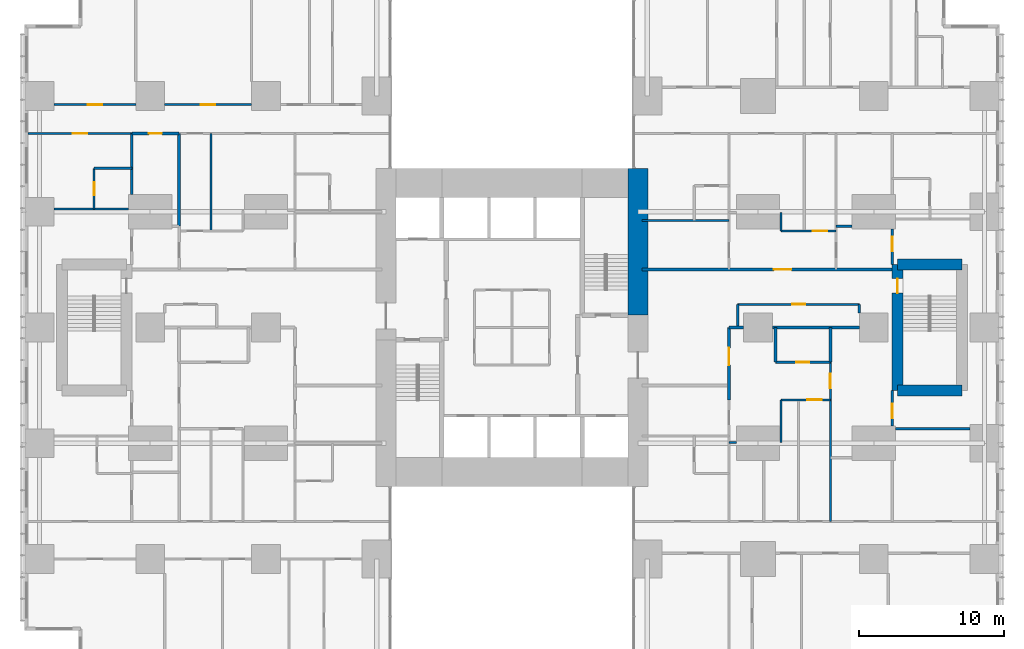
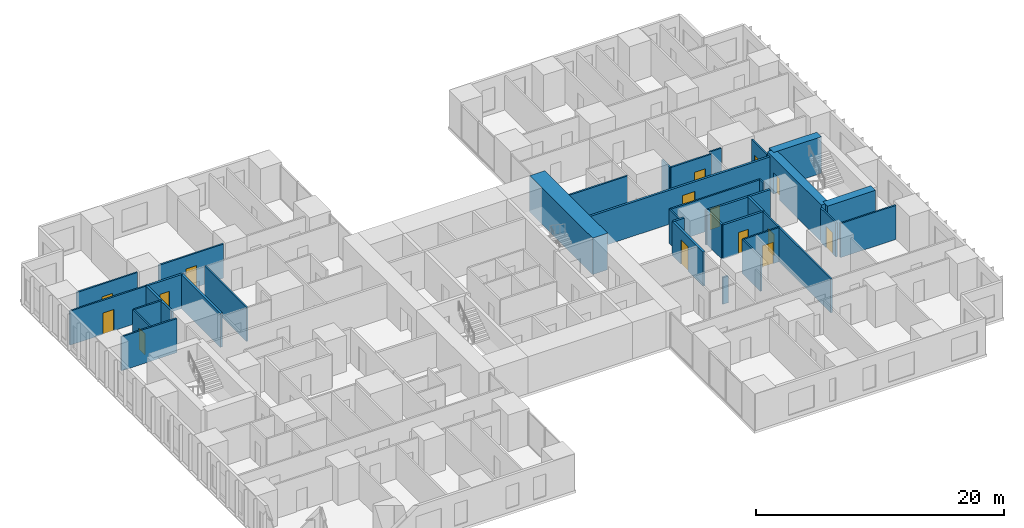
# One storey, part 16 of 20: 35 walls, 15 doors, 15 openings.
"""IFC4 building model written with IfcOpenShell, lengths in metres."""

from ifc_helpers import new_model, si_unit, direction, frame, frame_2d, origin, place, context, subcontext, project, spatial, rectangle, extrude, material, layer, layer_set, type_object, element, fill, save


model = new_model("IFC4")

# Units and contexts
model_context = context("Model", 3, precision=1e-05, world=origin(), true_north=direction((0.0, 1.0)))
body_context = subcontext(model_context, "Body", "Model", "MODEL_VIEW")
ifc_project = project(units=[si_unit("LENGTHUNIT", "METRE"), si_unit("AREAUNIT", "SQUARE_METRE"), si_unit("VOLUMEUNIT", "CUBIC_METRE"), si_unit("PLANEANGLEUNIT", "RADIAN"), si_unit("MASSUNIT", "GRAM", prefix="KILO")], contexts=[model_context])

# Site, building, storey
site_placement = place(None, origin())
site = spatial("IfcSite", under=ifc_project, at=site_placement, CompositionType="ELEMENT")
building_placement = place(site_placement, origin())
building = spatial("IfcBuilding", under=site, at=building_placement, Name="Cleftline Residences", CompositionType="ELEMENT")
storey_placement = place(building_placement, frame((0.0, 0.0, 139.39990234375)))
storey = spatial("IfcBuildingStorey", under=building, at=storey_placement, Name="L36", CompositionType="ELEMENT", Elevation=139.39990234375)

# Wall
ifc_material_1 = material(Name="Concrete B70", Category="concrete")
ifc_layer_1 = layer(ifc_material_1, 1.39990234375)
ifc_layer_set_1 = layer_set([ifc_layer_1], Name="CORE WALL 1400")
wall_type_1 = type_object("IfcWallType", Name="CORE WALL 1400", PredefinedType="SHEAR", material=ifc_layer_set_1)
wall_1_placement = place(storey_placement, frame((41.699951171875, 24.85009765625, 0.0), z_axis=(0.0, 0.0, 1.0), x_axis=(0.0, 1.0, 0.0)))
element("IfcWall", 1, at=wall_1_placement, inside=storey, type_object=wall_type_1, Name="Core wall E1", PredefinedType="SHEAR", context=body_context, shape_type="SweptSolid", body=[
    extrude(rectangle(XDim=10.14990234375, YDim=1.39990234375, at=frame_2d((5.074951171875, 0.0))), origin(), (0.0, 0.0, 1.0), 3.60009765625),
])

# Wall, opening, door
ifc_material_2 = material(Name="Concrete blockwork, fire rated", Category="masonry")
ifc_layer_2 = layer(ifc_material_2, 0.199951171875)
ifc_layer_set_2 = layer_set([ifc_layer_2], Name="FIRE WALL 200")
wall_type_2 = type_object("IfcWallType", Name="FIRE WALL 200", PredefinedType="PARTITIONING", material=ifc_layer_set_2)
wall_2_placement = place(storey_placement, frame((51.199951171875, 21.60009765625, 0.0), z_axis=(0.0, 0.0, 1.0), x_axis=(1.0, 0.0, 0.0)))
wall_2 = element("IfcWall", 2, at=wall_2_placement, inside=storey, type_object=wall_type_2, Name="Fire separating wall", PredefinedType="PARTITIONING", context=body_context, shape_type="SweptSolid", body=[
    extrude(rectangle(XDim=3.800048828125, YDim=0.199951171875, at=frame_2d((1.89990234375, 0.0))), origin(), (0.0, 0.0, 1.0), 3.35009765625),
])
opening_1_placement = place(wall_2_placement, frame((1.449951171875, 0.0, 0.0)))
opening_1 = element("IfcOpeningElement", 3, at=opening_1_placement, cuts=wall_2, Name="Opening D1F30", PredefinedType="OPENING", context=body_context, shape_type="SweptSolid", body=[
    extrude(rectangle(XDim=0.89990234375, YDim=2.10009765625, at=frame_2d((0.449951171875, 1.050048828125))), frame((0.0, 0.10986328125, 0.0), z_axis=(0.0, -1.0, 0.0), x_axis=(1.0, 0.0, 0.0)), (0.0, 0.0, 1.0), 0.219970703125),
])
ifc_material_3 = material(Name="Timber veneer on solid core", Category="wood")
door_type_1 = type_object("IfcDoorType", Name="DOOR 900X2100 EI 30", OperationType="SINGLE_SWING_LEFT", PredefinedType="DOOR", material=ifc_material_3)
door_1_placement = place(opening_1_placement, origin())
door_1 = element("IfcDoor", 4, at=door_1_placement, inside=storey, type_object=door_type_1, Name="Door to cloakroom wc", OperationType="SINGLE_SWING_LEFT", OverallHeight=2.10009765625, OverallWidth=0.89990234375, PredefinedType="DOOR", context=body_context, shape_type="SweptSolid", body=[
    extrude(rectangle(XDim=0.89990234375, YDim=2.10009765625, at=frame_2d((0.449951171875, 1.050048828125))), frame((0.0, 0.02490234375, 0.0), z_axis=(0.0, -1.0, 0.0), x_axis=(1.0, 0.0, 0.0)), (0.0, 0.0, 1.0), 0.050048828125),
])
fill(opening_1, door_1)

# Walls
wall_3_placement = place(storey_placement, frame((48.0, 24.0, 0.0), z_axis=(0.0, 0.0, 1.0), x_axis=(1.0, 0.0, 0.0)))
element("IfcWall", 5, at=wall_3_placement, inside=storey, type_object=wall_type_2, Name="Fire separating wall", PredefinedType="PARTITIONING", context=body_context, shape_type="SweptSolid", body=[
    extrude(rectangle(XDim=1.0, YDim=0.199951171875, at=frame_2d((0.5, 0.0))), origin(), (0.0, 0.0, 1.0), 3.35009765625),
])
wall_4_placement = place(storey_placement, frame((51.0, 24.0, 0.0), z_axis=(0.0, 0.0, 1.0), x_axis=(1.0, 0.0, 0.0)))
element("IfcWall", 6, at=wall_4_placement, inside=storey, type_object=wall_type_2, Name="Fire separating wall", PredefinedType="PARTITIONING", context=body_context, shape_type="SweptSolid", body=[
    extrude(rectangle(XDim=6.0, YDim=0.199951171875, at=frame_2d((3.0, 0.0))), origin(), (0.0, 0.0, 1.0), 3.35009765625),
])

# Wall, opening, door
wall_5_placement = place(storey_placement, frame((42.0, 28.0, 0.0), z_axis=(0.0, 0.0, 1.0), x_axis=(1.0, 0.0, 0.0)))
wall_5 = element("IfcWall", 7, at=wall_5_placement, inside=storey, type_object=wall_type_2, Name="Fire separating wall", PredefinedType="PARTITIONING", context=body_context, shape_type="SweptSolid", body=[
    extrude(rectangle(XDim=17.27490234375, YDim=0.199951171875, at=frame_2d((8.637451171875, 0.0))), origin(), (0.0, 0.0, 1.0), 3.35009765625),
])
opening_2_placement = place(wall_5_placement, frame((9.10009765625, 0.0, 0.0)))
opening_2 = element("IfcOpeningElement", 8, at=opening_2_placement, cuts=wall_5, Name="Opening D4", PredefinedType="OPENING", context=body_context, shape_type="SweptSolid", body=[
    extrude(rectangle(XDim=1.199951171875, YDim=2.39990234375, at=frame_2d((0.60009765625, 1.199951171875))), frame((0.0, 0.10986328125, 0.0), z_axis=(0.0, -1.0, 0.0), x_axis=(1.0, 0.0, 0.0)), (0.0, 0.0, 1.0), 0.219970703125),
])
ifc_material_4 = material(Name="Timber veneer on solid core", Category="wood")
door_type_2 = type_object("IfcDoorType", Name="APARTMENT ENTRANCE DOOR 1200X2400", OperationType="SINGLE_SWING_RIGHT", PredefinedType="DOOR", material=ifc_material_4)
door_2_placement = place(opening_2_placement, origin())
door_2 = element("IfcDoor", 9, at=door_2_placement, inside=storey, type_object=door_type_2, Name="Door to residence entrance (gallery)", OperationType="SINGLE_SWING_LEFT", OverallHeight=2.39990234375, OverallWidth=1.199951171875, PredefinedType="DOOR", context=body_context, shape_type="SweptSolid", body=[
    extrude(rectangle(XDim=1.199951171875, YDim=2.39990234375, at=frame_2d((0.60009765625, 1.199951171875))), frame((0.0, 0.02490234375, 0.0), z_axis=(0.0, -1.0, 0.0), x_axis=(1.0, 0.0, 0.0)), (0.0, 0.0, 1.0), 0.050048828125),
])
fill(opening_2, door_2)

wall_6_placement = place(storey_placement, frame((6.72509765625, 37.39990234375, 0.0), z_axis=(0.0, 0.0, 1.0), x_axis=(1.0, 0.0, 0.0)))
wall_6 = element("IfcWall", 10, at=wall_6_placement, inside=storey, type_object=wall_type_2, Name="Fire separating wall", PredefinedType="PARTITIONING", context=body_context, shape_type="SweptSolid", body=[
    extrude(rectangle(XDim=3.27490234375, YDim=0.199951171875, at=frame_2d((1.637451171875, 0.0))), origin(), (0.0, 0.0, 1.0), 3.35009765625),
])
opening_3_placement = place(wall_6_placement, frame((1.1875, 0.0, 0.0)))
opening_3 = element("IfcOpeningElement", 11, at=opening_3_placement, cuts=wall_6, Name="Opening D1F30", PredefinedType="OPENING", context=body_context, shape_type="SweptSolid", body=[
    extrude(rectangle(XDim=0.89990234375, YDim=2.10009765625, at=frame_2d((0.449951171875, 1.050048828125))), frame((0.0, 0.10986328125, 0.0), z_axis=(0.0, -1.0, 0.0), x_axis=(1.0, 0.0, 0.0)), (0.0, 0.0, 1.0), 0.219970703125),
])
door_3_placement = place(opening_3_placement, origin())
door_3 = element("IfcDoor", 12, at=door_3_placement, inside=storey, type_object=door_type_1, Name="Door to guest wc", OperationType="SINGLE_SWING_LEFT", OverallHeight=2.10009765625, OverallWidth=0.89990234375, PredefinedType="DOOR", context=body_context, shape_type="SweptSolid", body=[
    extrude(rectangle(XDim=0.89990234375, YDim=2.10009765625, at=frame_2d((0.449951171875, 1.050048828125))), frame((0.0, 0.02490234375, 0.0), z_axis=(0.0, -1.0, 0.0), x_axis=(1.0, 0.0, 0.0)), (0.0, 0.0, 1.0), 0.050048828125),
])
fill(opening_3, door_3)

# Walls
wall_7_placement = place(storey_placement, frame((6.72509765625, 33.199951171875, 0.0), z_axis=(0.0, 0.0, 1.0), x_axis=(0.0, 1.0, 0.0)))
element("IfcWall", 13, at=wall_7_placement, inside=storey, type_object=wall_type_2, Name="Fire separating wall", PredefinedType="PARTITIONING", context=body_context, shape_type="SweptSolid", body=[
    extrude(rectangle(XDim=4.199951171875, YDim=0.199951171875, at=frame_2d((2.10009765625, 0.0))), origin(), (0.0, 0.0, 1.0), 3.35009765625),
])
wall_8_placement = place(storey_placement, frame((10.0, 31.0, 0.0), z_axis=(0.0, 0.0, 1.0), x_axis=(0.0, 1.0, 0.0)))
element("IfcWall", 14, at=wall_8_placement, inside=storey, type_object=wall_type_2, Name="Fire separating wall", PredefinedType="PARTITIONING", context=body_context, shape_type="SweptSolid", body=[
    extrude(rectangle(XDim=6.39990234375, YDim=0.199951171875, at=frame_2d((3.199951171875, 0.0))), origin(), (0.0, 0.0, 1.0), 3.35009765625),
])

# Wall, opening, door
wall_9_placement = place(storey_placement, frame((48.0, 19.0, 0.0), z_axis=(0.0, 0.0, 1.0), x_axis=(0.0, 1.0, 0.0)))
wall_9 = element("IfcWall", 15, at=wall_9_placement, inside=storey, type_object=wall_type_2, Name="Fire separating wall", PredefinedType="PARTITIONING", context=body_context, shape_type="SweptSolid", body=[
    extrude(rectangle(XDim=5.0, YDim=0.199951171875, at=frame_2d((2.5, 0.0))), origin(), (0.0, 0.0, 1.0), 3.35009765625),
])
opening_4_placement = place(wall_9_placement, frame((2.39990234375, 0.0, 0.0)))
opening_4 = element("IfcOpeningElement", 16, at=opening_4_placement, cuts=wall_9, Name="Opening D4", PredefinedType="OPENING", context=body_context, shape_type="SweptSolid", body=[
    extrude(rectangle(XDim=1.199951171875, YDim=2.39990234375, at=frame_2d((0.60009765625, 1.199951171875))), frame((0.0, 0.10986328125, 0.0), z_axis=(0.0, -1.0, 0.0), x_axis=(1.0, 0.0, 0.0)), (0.0, 0.0, 1.0), 0.219970703125),
])
door_4_placement = place(opening_4_placement, origin())
door_4 = element("IfcDoor", 17, at=door_4_placement, inside=storey, type_object=door_type_2, Name="Door to residence entrance foyer", OperationType="SINGLE_SWING_LEFT", OverallHeight=2.39990234375, OverallWidth=1.199951171875, PredefinedType="DOOR", context=body_context, shape_type="SweptSolid", body=[
    extrude(rectangle(XDim=1.199951171875, YDim=2.39990234375, at=frame_2d((0.60009765625, 1.199951171875))), frame((0.0, 0.02490234375, 0.0), z_axis=(0.0, -1.0, 0.0), x_axis=(1.0, 0.0, 0.0)), (0.0, 0.0, 1.0), 0.050048828125),
])
fill(opening_4, door_4)

# Walls
for number, where, z_axis, x_axis, name in (
    (18, (51.199951171875, 21.60009765625, 0.0), (0.0, 0.0, 1.0), (0.0, 1.0, 0.0), "Fire separating wall"),
    (19, (55.0, 21.60009765625, 0.0), (0.0, 0.0, 1.0), (0.0, 1.0, 0.0), "Fire separating wall"),
):
    element("IfcWall", number, at=place(storey_placement, frame(where, z_axis=z_axis, x_axis=x_axis)), inside=storey, type_object=wall_type_2, Name=name, PredefinedType="PARTITIONING", context=body_context, shape_type="SweptSolid", body=[
        extrude(rectangle(XDim=2.39990234375, YDim=0.199951171875, at=frame_2d((1.199951171875, 0.0))), origin(), (0.0, 0.0, 1.0), 3.35009765625),
    ])
ifc_material_5 = material(Name="Gypsum board on steel studs", Category="steel")
ifc_layer_3 = layer(ifc_material_5, 0.14990234375)
ifc_layer_set_3 = layer_set([ifc_layer_3], Name="PARTITION 150")
wall_type_3 = type_object("IfcWallType", Name="PARTITION 150", PredefinedType="PARTITIONING", material=ifc_layer_set_3)
wall_10_placement = place(storey_placement, frame((48.0, 16.050048828125, 0.0), z_axis=(0.0, 0.0, 1.0), x_axis=(1.0, 0.0, 0.0)))
element("IfcWall", 20, at=wall_10_placement, inside=storey, type_object=wall_type_3, Name="Partition", PredefinedType="PARTITIONING", context=body_context, shape_type="SweptSolid", body=[
    extrude(rectangle(XDim=0.5, YDim=0.14990234375, at=frame_2d((0.25, 0.0))), origin(), (0.0, 0.0, 1.0), 2.634033203125),
])
wall_11_placement = place(storey_placement, frame((59.5, 17.0, 0.0), z_axis=(0.0, 0.0, 1.0), x_axis=(1.0, 0.0, 0.0)))
element("IfcWall", 21, at=wall_11_placement, inside=storey, type_object=wall_type_3, Name="Partition", PredefinedType="PARTITIONING", context=body_context, shape_type="SweptSolid", body=[
    extrude(rectangle(XDim=5.14990234375, YDim=0.14990234375, at=frame_2d((2.574951171875, 0.0))), origin(), (0.0, 0.0, 1.0), 3.35009765625),
])

# Wall, opening, door
wall_12_placement = place(storey_placement, frame((51.60009765625, 19.0, 0.0), z_axis=(0.0, 0.0, 1.0), x_axis=(1.0, 0.0, 0.0)))
wall_12 = element("IfcWall", 22, at=wall_12_placement, inside=storey, type_object=wall_type_3, Name="Partition", PredefinedType="PARTITIONING", context=body_context, shape_type="SweptSolid", body=[
    extrude(rectangle(XDim=3.39990234375, YDim=0.14990234375, at=frame_2d((1.699951171875, 0.0))), origin(), (0.0, 0.0, 1.0), 3.35009765625),
])
opening_5_placement = place(wall_12_placement, frame((1.800048828125, 0.0, 0.0)))
opening_5 = element("IfcOpeningElement", 23, at=opening_5_placement, cuts=wall_12, Name="Opening D2", PredefinedType="OPENING", context=body_context, shape_type="SweptSolid", body=[
    extrude(rectangle(XDim=1.0, YDim=2.10009765625, at=frame_2d((0.5, 1.050048828125))), frame((0.0, 0.0849609375, 0.0), z_axis=(0.0, -1.0, 0.0), x_axis=(1.0, 0.0, 0.0)), (0.0, 0.0, 1.0), 0.169921875),
])
ifc_material_6 = material(Name="Timber veneer on solid core", Category="wood")
door_type_3 = type_object("IfcDoorType", Name="DOOR 1000X2100", OperationType="SINGLE_SWING_LEFT", PredefinedType="DOOR", material=ifc_material_6)
door_5_placement = place(opening_5_placement, origin())
door_5 = element("IfcDoor", 24, at=door_5_placement, inside=storey, type_object=door_type_3, Name="Door to residence passage", OperationType="SINGLE_SWING_LEFT", OverallHeight=2.10009765625, OverallWidth=1.0, PredefinedType="DOOR", context=body_context, shape_type="SweptSolid", body=[
    extrude(rectangle(XDim=1.0, YDim=2.10009765625, at=frame_2d((0.5, 1.050048828125))), frame((0.0, 0.02490234375, 0.0), z_axis=(0.0, -1.0, 0.0), x_axis=(1.0, 0.0, 0.0)), (0.0, 0.0, 1.0), 0.050048828125),
])
fill(opening_5, door_5)

wall_13_placement = place(storey_placement, frame((48.60009765625, 25.60009765625, 0.0), z_axis=(0.0, 0.0, 1.0), x_axis=(1.0, 0.0, 0.0)))
wall_13 = element("IfcWall", 25, at=wall_13_placement, inside=storey, type_object=wall_type_3, Name="Partition", PredefinedType="PARTITIONING", context=body_context, shape_type="SweptSolid", body=[
    extrude(rectangle(XDim=8.39990234375, YDim=0.14990234375, at=frame_2d((4.199951171875, 0.0))), origin(), (0.0, 0.0, 1.0), 3.35009765625),
])
opening_6_placement = place(wall_13_placement, frame((3.75, 0.0, 0.0)))
opening_6 = element("IfcOpeningElement", 26, at=opening_6_placement, cuts=wall_13, Name="Opening D1", PredefinedType="OPENING", context=body_context, shape_type="SweptSolid", body=[
    extrude(rectangle(XDim=0.89990234375, YDim=2.10009765625, at=frame_2d((0.449951171875, 1.050048828125))), frame((0.0, 0.0849609375, 0.0), z_axis=(0.0, -1.0, 0.0), x_axis=(1.0, 0.0, 0.0)), (0.0, 0.0, 1.0), 0.169921875),
])
ifc_material_7 = material(Name="Timber veneer on solid core", Category="wood")
door_type_4 = type_object("IfcDoorType", Name="DOOR 900X2100", OperationType="SINGLE_SWING_LEFT", PredefinedType="DOOR", material=ifc_material_7)
door_6_placement = place(opening_6_placement, origin())
door_6 = element("IfcDoor", 27, at=door_6_placement, inside=storey, type_object=door_type_4, Name="Door to residents' locker room", OperationType="SINGLE_SWING_LEFT", OverallHeight=2.10009765625, OverallWidth=0.89990234375, PredefinedType="DOOR", context=body_context, shape_type="SweptSolid", body=[
    extrude(rectangle(XDim=0.89990234375, YDim=2.10009765625, at=frame_2d((0.449951171875, 1.050048828125))), frame((0.0, 0.02490234375, 0.0), z_axis=(0.0, -1.0, 0.0), x_axis=(1.0, 0.0, 0.0)), (0.0, 0.0, 1.0), 0.050048828125),
])
fill(opening_6, door_6)

wall_14_placement = place(storey_placement, frame((51.60009765625, 30.675048828125, 0.0), z_axis=(0.0, 0.0, 1.0), x_axis=(1.0, 0.0, 0.0)))
wall_14 = element("IfcWall", 28, at=wall_14_placement, inside=storey, type_object=wall_type_3, Name="Partition", PredefinedType="PARTITIONING", context=body_context, shape_type="SweptSolid", body=[
    extrude(rectangle(XDim=3.7998046875, YDim=0.14990234375, at=frame_2d((1.89990234375, 0.0))), origin(), (0.0, 0.0, 1.0), 3.35009765625),
])
opening_7_placement = place(wall_14_placement, frame((2.199951171875, 0.0, 0.0)))
opening_7 = element("IfcOpeningElement", 29, at=opening_7_placement, cuts=wall_14, Name="Opening D2", PredefinedType="OPENING", context=body_context, shape_type="SweptSolid", body=[
    extrude(rectangle(XDim=1.0, YDim=2.10009765625, at=frame_2d((0.5, 1.050048828125))), frame((0.0, 0.0849609375, 0.0), z_axis=(0.0, -1.0, 0.0), x_axis=(1.0, 0.0, 0.0)), (0.0, 0.0, 1.0), 0.169921875),
])
door_7_placement = place(opening_7_placement, origin())
door_7 = element("IfcDoor", 30, at=door_7_placement, inside=storey, type_object=door_type_3, Name="Door to residence passage", OperationType="SINGLE_SWING_LEFT", OverallHeight=2.10009765625, OverallWidth=1.0, PredefinedType="DOOR", context=body_context, shape_type="SweptSolid", body=[
    extrude(rectangle(XDim=1.0, YDim=2.10009765625, at=frame_2d((0.5, 1.050048828125))), frame((0.0, 0.02490234375, 0.0), z_axis=(0.0, -1.0, 0.0), x_axis=(1.0, 0.0, 0.0)), (0.0, 0.0, 1.0), 0.050048828125),
])
fill(opening_7, door_7)

# Walls
wall_15_placement = place(storey_placement, frame((55.39990234375, 31.0, 0.0), z_axis=(0.0, 0.0, 1.0), x_axis=(1.0, 0.0, 0.0)))
element("IfcWall", 31, at=wall_15_placement, inside=storey, type_object=wall_type_3, Name="Partition", PredefinedType="PARTITIONING", context=body_context, shape_type="SweptSolid", body=[
    extrude(rectangle(XDim=1.10009765625, YDim=0.14990234375, at=frame_2d((0.550048828125, 0.0))), origin(), (0.0, 0.0, 1.0), 3.35009765625),
])
wall_16_placement = place(storey_placement, frame((42.0, 31.39990234375, 0.0), z_axis=(0.0, 0.0, 1.0), x_axis=(1.0, 0.0, 0.0)))
element("IfcWall", 32, at=wall_16_placement, inside=storey, type_object=wall_type_3, Name="Partition", PredefinedType="PARTITIONING", context=body_context, shape_type="SweptSolid", body=[
    extrude(rectangle(XDim=6.0, YDim=0.14990234375, at=frame_2d((3.0, 0.0))), origin(), (0.0, 0.0, 1.0), 3.35009765625),
])
wall_17_placement = place(storey_placement, frame((1.35009765625, 32.199951171875, 0.0), z_axis=(0.0, 0.0, 1.0), x_axis=(1.0, 0.0, 0.0)))
element("IfcWall", 33, at=wall_17_placement, inside=storey, type_object=wall_type_3, Name="Partition", PredefinedType="PARTITIONING", context=body_context, shape_type="SweptSolid", body=[
    extrude(rectangle(XDim=5.14990234375, YDim=0.14990234375, at=frame_2d((2.574951171875, 0.0))), origin(), (0.0, 0.0, 1.0), 3.35009765625),
])
wall_18_placement = place(storey_placement, frame((4.125, 35.0, 0.0), z_axis=(0.0, 0.0, 1.0), x_axis=(1.0, 0.0, 0.0)))
element("IfcWall", 34, at=wall_18_placement, inside=storey, type_object=wall_type_3, Name="Partition", PredefinedType="PARTITIONING", context=body_context, shape_type="SweptSolid", body=[
    extrude(rectangle(XDim=2.60009765625, YDim=0.14990234375, at=frame_2d((1.300048828125, 0.0))), origin(), (0.0, 0.0, 1.0), 3.35009765625),
])

# Wall, opening, door
wall_19_placement = place(storey_placement, frame((-0.449951171875, 37.39990234375, 0.0), z_axis=(0.0, 0.0, 1.0), x_axis=(1.0, 0.0, 0.0)))
wall_19 = element("IfcWall", 35, at=wall_19_placement, inside=storey, type_object=wall_type_3, Name="Partition", PredefinedType="PARTITIONING", context=body_context, shape_type="SweptSolid", body=[
    extrude(rectangle(XDim=7.175048828125, YDim=0.14990234375, at=frame_2d((3.58740234375, 0.0))), origin(), (0.0, 0.0, 1.0), 3.35009765625),
])
opening_8_placement = place(wall_19_placement, frame((3.08740234375, 0.0, 0.0)))
opening_8 = element("IfcOpeningElement", 36, at=opening_8_placement, cuts=wall_19, Name="Opening D2", PredefinedType="OPENING", context=body_context, shape_type="SweptSolid", body=[
    extrude(rectangle(XDim=1.0, YDim=2.10009765625, at=frame_2d((0.5, 1.050048828125))), frame((0.0, 0.0849609375, 0.0), z_axis=(0.0, -1.0, 0.0), x_axis=(1.0, 0.0, 0.0)), (0.0, 0.0, 1.0), 0.169921875),
])
door_8_placement = place(opening_8_placement, origin())
door_8 = element("IfcDoor", 37, at=door_8_placement, inside=storey, type_object=door_type_3, Name="Door to master bedroom", OperationType="SINGLE_SWING_LEFT", OverallHeight=2.10009765625, OverallWidth=1.0, PredefinedType="DOOR", context=body_context, shape_type="SweptSolid", body=[
    extrude(rectangle(XDim=1.0, YDim=2.10009765625, at=frame_2d((0.5, 1.050048828125))), frame((0.0, 0.02490234375, 0.0), z_axis=(0.0, -1.0, 0.0), x_axis=(1.0, 0.0, 0.0)), (0.0, 0.0, 1.0), 0.050048828125),
])
fill(opening_8, door_8)

wall_20_placement = place(storey_placement, frame((1.35009765625, 39.39990234375, 0.0), z_axis=(0.0, 0.0, 1.0), x_axis=(1.0, 0.0, 0.0)))
wall_20 = element("IfcWall", 38, at=wall_20_placement, inside=storey, type_object=wall_type_3, Name="Partition", PredefinedType="PARTITIONING", context=body_context, shape_type="SweptSolid", body=[
    extrude(rectangle(XDim=5.64990234375, YDim=0.14990234375, at=frame_2d((2.824951171875, 0.0))), origin(), (0.0, 0.0, 1.0), 3.35009765625),
])
opening_9_placement = place(wall_20_placement, frame((2.324951171875, 0.0, 0.0)))
opening_9 = element("IfcOpeningElement", 39, at=opening_9_placement, cuts=wall_20, Name="Opening D2", PredefinedType="OPENING", context=body_context, shape_type="SweptSolid", body=[
    extrude(rectangle(XDim=1.0, YDim=2.10009765625, at=frame_2d((0.5, 1.050048828125))), frame((0.0, 0.0849609375, 0.0), z_axis=(0.0, -1.0, 0.0), x_axis=(1.0, 0.0, 0.0)), (0.0, 0.0, 1.0), 0.169921875),
])
door_9_placement = place(opening_9_placement, origin())
door_9 = element("IfcDoor", 40, at=door_9_placement, inside=storey, type_object=door_type_3, Name="Door to winter garden", OperationType="SINGLE_SWING_LEFT", OverallHeight=2.10009765625, OverallWidth=1.0, PredefinedType="DOOR", context=body_context, shape_type="SweptSolid", body=[
    extrude(rectangle(XDim=1.0, YDim=2.10009765625, at=frame_2d((0.5, 1.050048828125))), frame((0.0, 0.02490234375, 0.0), z_axis=(0.0, -1.0, 0.0), x_axis=(1.0, 0.0, 0.0)), (0.0, 0.0, 1.0), 0.050048828125),
])
fill(opening_9, door_9)

wall_21_placement = place(storey_placement, frame((9.0, 39.39990234375, 0.0), z_axis=(0.0, 0.0, 1.0), x_axis=(1.0, 0.0, 0.0)))
wall_21 = element("IfcWall", 41, at=wall_21_placement, inside=storey, type_object=wall_type_3, Name="Partition", PredefinedType="PARTITIONING", context=body_context, shape_type="SweptSolid", body=[
    extrude(rectangle(XDim=6.0, YDim=0.14990234375, at=frame_2d((3.0, 0.0))), origin(), (0.0, 0.0, 1.0), 3.35009765625),
])
opening_10_placement = place(wall_21_placement, frame((2.5, 0.0, 0.0)))
opening_10 = element("IfcOpeningElement", 42, at=opening_10_placement, cuts=wall_21, Name="Opening D2", PredefinedType="OPENING", context=body_context, shape_type="SweptSolid", body=[
    extrude(rectangle(XDim=1.0, YDim=2.10009765625, at=frame_2d((0.5, 1.050048828125))), frame((0.0, 0.0849609375, 0.0), z_axis=(0.0, -1.0, 0.0), x_axis=(1.0, 0.0, 0.0)), (0.0, 0.0, 1.0), 0.169921875),
])
door_10_placement = place(opening_10_placement, origin())
door_10 = element("IfcDoor", 43, at=door_10_placement, inside=storey, type_object=door_type_3, Name="Door to living room", OperationType="SINGLE_SWING_LEFT", OverallHeight=2.10009765625, OverallWidth=1.0, PredefinedType="DOOR", context=body_context, shape_type="SweptSolid", body=[
    extrude(rectangle(XDim=1.0, YDim=2.10009765625, at=frame_2d((0.5, 1.050048828125))), frame((0.0, 0.02490234375, 0.0), z_axis=(0.0, -1.0, 0.0), x_axis=(1.0, 0.0, 0.0)), (0.0, 0.0, 1.0), 0.050048828125),
])
fill(opening_10, door_10)

wall_22_placement = place(storey_placement, frame((4.125, 32.199951171875, 0.0), z_axis=(0.0, 0.0, 1.0), x_axis=(0.0, 1.0, 0.0)))
wall_22 = element("IfcWall", 44, at=wall_22_placement, inside=storey, type_object=wall_type_3, Name="Partition", PredefinedType="PARTITIONING", context=body_context, shape_type="SweptSolid", body=[
    extrude(rectangle(XDim=2.800048828125, YDim=0.14990234375, at=frame_2d((1.39990234375, 0.0))), origin(), (0.0, 0.0, 1.0), 3.35009765625),
])
opening_11_placement = place(wall_22_placement, frame((0.949951171875, 0.0, 0.0)))
opening_11 = element("IfcOpeningElement", 45, at=opening_11_placement, cuts=wall_22, Name="Opening D1", PredefinedType="OPENING", context=body_context, shape_type="SweptSolid", body=[
    extrude(rectangle(XDim=0.89990234375, YDim=2.10009765625, at=frame_2d((0.449951171875, 1.050048828125))), frame((0.0, 0.0849609375, 0.0), z_axis=(0.0, -1.0, 0.0), x_axis=(1.0, 0.0, 0.0)), (0.0, 0.0, 1.0), 0.169921875),
])
door_11_placement = place(opening_11_placement, origin())
door_11 = element("IfcDoor", 46, at=door_11_placement, inside=storey, type_object=door_type_4, Name="Door to master bathroom", OperationType="SINGLE_SWING_LEFT", OverallHeight=2.10009765625, OverallWidth=0.89990234375, PredefinedType="DOOR", context=body_context, shape_type="SweptSolid", body=[
    extrude(rectangle(XDim=0.89990234375, YDim=2.10009765625, at=frame_2d((0.449951171875, 1.050048828125))), frame((0.0, 0.02490234375, 0.0), z_axis=(0.0, -1.0, 0.0), x_axis=(1.0, 0.0, 0.0)), (0.0, 0.0, 1.0), 0.050048828125),
])
fill(opening_11, door_11)

# Walls
wall_23_placement = place(storey_placement, frame((12.199951171875, 30.675048828125, 0.0), z_axis=(0.0, 0.0, 1.0), x_axis=(0.0, 1.0, 0.0)))
element("IfcWall", 47, at=wall_23_placement, inside=storey, type_object=wall_type_3, Name="Partition", PredefinedType="PARTITIONING", context=body_context, shape_type="SweptSolid", body=[
    extrude(rectangle(XDim=6.724853515625, YDim=0.14990234375, at=frame_2d((3.3623046875, 0.0))), origin(), (0.0, 0.0, 1.0), 3.35009765625),
])
wall_24_placement = place(storey_placement, frame((48.60009765625, 24.0, 0.0), z_axis=(0.0, 0.0, 1.0), x_axis=(0.0, 1.0, 0.0)))
element("IfcWall", 48, at=wall_24_placement, inside=storey, type_object=wall_type_3, Name="Partition", PredefinedType="PARTITIONING", context=body_context, shape_type="SweptSolid", body=[
    extrude(rectangle(XDim=1.60009765625, YDim=0.14990234375, at=frame_2d((0.800048828125, 0.0))), origin(), (0.0, 0.0, 1.0), 3.35009765625),
])
wall_25_placement = place(storey_placement, frame((51.60009765625, 16.050048828125, 0.0), z_axis=(0.0, 0.0, 1.0), x_axis=(0.0, 1.0, 0.0)))
element("IfcWall", 49, at=wall_25_placement, inside=storey, type_object=wall_type_3, Name="Partition", PredefinedType="PARTITIONING", context=body_context, shape_type="SweptSolid", body=[
    extrude(rectangle(XDim=2.949951171875, YDim=0.14990234375, at=frame_2d((1.47509765625, 0.0))), origin(), (0.0, 0.0, 1.0), 3.35009765625),
])
wall_26_placement = place(storey_placement, frame((51.60009765625, 30.675048828125, 0.0), z_axis=(0.0, 0.0, 1.0), x_axis=(0.0, 1.0, 0.0)))
element("IfcWall", 50, at=wall_26_placement, inside=storey, type_object=wall_type_3, Name="Partition", PredefinedType="PARTITIONING", context=body_context, shape_type="SweptSolid", body=[
    extrude(rectangle(XDim=1.27490234375, YDim=0.14990234375, at=frame_2d((0.637451171875, 0.0))), origin(), (0.0, 0.0, 1.0), 3.35009765625),
])

# Wall, opening, door
wall_27_placement = place(storey_placement, frame((55.0, 10.60009765625, 0.0), z_axis=(0.0, 0.0, 1.0), x_axis=(0.0, 1.0, 0.0)))
wall_27 = element("IfcWall", 51, at=wall_27_placement, inside=storey, type_object=wall_type_3, Name="Partition", PredefinedType="PARTITIONING", context=body_context, shape_type="SweptSolid", body=[
    extrude(rectangle(XDim=11.0, YDim=0.14990234375, at=frame_2d((5.5, 0.0))), origin(), (0.0, 0.0, 1.0), 3.35009765625),
])
opening_12_placement = place(wall_27_placement, frame((9.199951171875, 0.0, 0.0)))
opening_12 = element("IfcOpeningElement", 52, at=opening_12_placement, cuts=wall_27, Name="Opening D2F30", PredefinedType="OPENING", context=body_context, shape_type="SweptSolid", body=[
    extrude(rectangle(XDim=1.0, YDim=2.10009765625, at=frame_2d((0.5, 1.050048828125))), frame((0.0, 0.0849609375, 0.0), z_axis=(0.0, -1.0, 0.0), x_axis=(1.0, 0.0, 0.0)), (0.0, 0.0, 1.0), 0.169921875),
])
ifc_material_8 = material(Name="Timber veneer on solid core", Category="wood")
door_type_5 = type_object("IfcDoorType", Name="DOOR 1000X2100 EI 30", OperationType="SINGLE_SWING_LEFT", PredefinedType="DOOR", material=ifc_material_8)
door_12_placement = place(opening_12_placement, origin())
door_12 = element("IfcDoor", 53, at=door_12_placement, inside=storey, type_object=door_type_5, Name="Door to residence lobby", OperationType="SINGLE_SWING_LEFT", OverallHeight=2.10009765625, OverallWidth=1.0, PredefinedType="DOOR", context=body_context, shape_type="SweptSolid", body=[
    extrude(rectangle(XDim=1.0, YDim=2.10009765625, at=frame_2d((0.5, 1.050048828125))), frame((0.0, 0.02490234375, 0.0), z_axis=(0.0, -1.0, 0.0), x_axis=(1.0, 0.0, 0.0)), (0.0, 0.0, 1.0), 0.050048828125),
])
fill(opening_12, door_12)

# Wall
wall_28_placement = place(storey_placement, frame((57.0, 25.0, 0.0), z_axis=(0.0, 0.0, 1.0), x_axis=(0.0, 1.0, 0.0)))
element("IfcWall", 54, at=wall_28_placement, inside=storey, type_object=wall_type_3, Name="Partition", PredefinedType="PARTITIONING", context=body_context, shape_type="SweptSolid", body=[
    extrude(rectangle(XDim=0.60009765625, YDim=0.14990234375, at=frame_2d((0.300048828125, 0.0))), origin(), (0.0, 0.0, 1.0), 3.35009765625),
])

# Wall, opening, door
wall_29_placement = place(storey_placement, frame((59.27490234375, 17.199951171875, 0.0), z_axis=(0.0, 0.0, 1.0), x_axis=(0.0, 1.0, 0.0)))
wall_29 = element("IfcWall", 55, at=wall_29_placement, inside=storey, type_object=wall_type_3, Name="Partition", PredefinedType="PARTITIONING", context=body_context, shape_type="SweptSolid", body=[
    extrude(rectangle(XDim=2.449951171875, YDim=0.14990234375, at=frame_2d((1.22509765625, 0.0))), origin(), (0.0, 0.0, 1.0), 3.35009765625),
])
opening_13_placement = place(wall_29_placement, frame((0.53759765625, 0.0, 0.0)))
opening_13 = element("IfcOpeningElement", 56, at=opening_13_placement, cuts=wall_29, Name="Opening D2", PredefinedType="OPENING", context=body_context, shape_type="SweptSolid", body=[
    extrude(rectangle(XDim=1.0, YDim=2.10009765625, at=frame_2d((0.5, 1.050048828125))), frame((0.0, 0.0849609375, 0.0), z_axis=(0.0, -1.0, 0.0), x_axis=(1.0, 0.0, 0.0)), (0.0, 0.0, 1.0), 0.169921875),
])
door_13_placement = place(opening_13_placement, origin())
door_13 = element("IfcDoor", 57, at=door_13_placement, inside=storey, type_object=door_type_3, Name="Door to altar room", OperationType="SINGLE_SWING_RIGHT", OverallHeight=2.10009765625, OverallWidth=1.0, PredefinedType="DOOR", context=body_context, shape_type="SweptSolid", body=[
    extrude(rectangle(XDim=1.0, YDim=2.10009765625, at=frame_2d((0.5, 1.050048828125))), frame((0.0, 0.02490234375, 0.0), z_axis=(0.0, -1.0, 0.0), x_axis=(1.0, 0.0, 0.0)), (0.0, 0.0, 1.0), 0.050048828125),
])
fill(opening_13, door_13)

wall_30_placement = place(storey_placement, frame((59.27490234375, 28.35009765625, 0.0), z_axis=(0.0, 0.0, 1.0), x_axis=(0.0, 1.0, 0.0)))
wall_30 = element("IfcWall", 58, at=wall_30_placement, inside=storey, type_object=wall_type_3, Name="Partition", PredefinedType="PARTITIONING", context=body_context, shape_type="SweptSolid", body=[
    extrude(rectangle(XDim=2.449951171875, YDim=0.14990234375, at=frame_2d((1.22509765625, 0.0))), origin(), (0.0, 0.0, 1.0), 3.35009765625),
])
opening_14_placement = place(wall_30_placement, frame((0.91259765625, 0.0, 0.0)))
opening_14 = element("IfcOpeningElement", 59, at=opening_14_placement, cuts=wall_30, Name="Opening D2", PredefinedType="OPENING", context=body_context, shape_type="SweptSolid", body=[
    extrude(rectangle(XDim=1.0, YDim=2.10009765625, at=frame_2d((0.5, 1.050048828125))), frame((0.0, 0.0849609375, 0.0), z_axis=(0.0, -1.0, 0.0), x_axis=(1.0, 0.0, 0.0)), (0.0, 0.0, 1.0), 0.169921875),
])
door_14_placement = place(opening_14_placement, origin())
door_14 = element("IfcDoor", 60, at=door_14_placement, inside=storey, type_object=door_type_3, Name="Door to winter garden", OperationType="SINGLE_SWING_LEFT", OverallHeight=2.10009765625, OverallWidth=1.0, PredefinedType="DOOR", context=body_context, shape_type="SweptSolid", body=[
    extrude(rectangle(XDim=1.0, YDim=2.10009765625, at=frame_2d((0.5, 1.050048828125))), frame((0.0, 0.02490234375, 0.0), z_axis=(0.0, -1.0, 0.0), x_axis=(1.0, 0.0, 0.0)), (0.0, 0.0, 1.0), 0.050048828125),
])
fill(opening_14, door_14)

# Walls
ifc_material_9 = material(Name="Concrete B70", Category="concrete")
ifc_layer_4 = layer(ifc_material_9, 0.75)
ifc_layer_set_4 = layer_set([ifc_layer_4], Name="SHEAR WALL 750")
wall_type_4 = type_object("IfcWallType", Name="SHEAR WALL 750", PredefinedType="SHEAR", material=ifc_layer_set_4)
for number, where, z_axis, x_axis, name in (
    (61, (59.64990234375, 19.64990234375, 0.0), (0.0, 0.0, 1.0), (1.0, 0.0, 0.0), "Wing shear wall"),
    (62, (64.10009765625, 28.35009765625, 0.0), (0.0, 0.0, 1.0), (-1.0, 0.0, 0.0), "Wing shear wall"),
):
    element("IfcWall", number, at=place(storey_placement, frame(where, z_axis=z_axis, x_axis=x_axis)), inside=storey, type_object=wall_type_4, Name=name, PredefinedType="SHEAR", context=body_context, shape_type="SweptSolid", body=[
        extrude(rectangle(XDim=4.4501953125, YDim=0.75, at=frame_2d((2.22509765625, 0.0))), origin(), (0.0, 0.0, 1.0), 3.60009765625),
    ])

# Wall, opening, door
wall_31_placement = place(storey_placement, frame((59.64990234375, 28.35009765625, 0.0), z_axis=(0.0, 0.0, 1.0), x_axis=(0.0, -1.0, 0.0)))
wall_31 = element("IfcWall", 63, at=wall_31_placement, inside=storey, type_object=wall_type_4, Name="Wing shear wall", PredefinedType="SHEAR", context=body_context, shape_type="SweptSolid", body=[
    extrude(rectangle(XDim=8.7001953125, YDim=0.75, at=frame_2d((4.35009765625, 0.0))), origin(), (0.0, 0.0, 1.0), 3.60009765625),
])
opening_15_placement = place(wall_31_placement, frame((0.97509765625, 0.0, 0.0)))
opening_15 = element("IfcOpeningElement", 64, at=opening_15_placement, cuts=wall_31, Name="Opening D5", PredefinedType="OPENING", context=body_context, shape_type="SweptSolid", body=[
    extrude(rectangle(XDim=1.0, YDim=2.10009765625, at=frame_2d((0.5, 1.050048828125))), frame((0.0, 0.385009765625, 0.0), z_axis=(0.0, -1.0, 0.0), x_axis=(1.0, 0.0, 0.0)), (0.0, 0.0, 1.0), 0.77001953125),
])
ifc_material_10 = material(Name="Steel", Category="steel")
door_type_6 = type_object("IfcDoorType", Name="STAIR DOOR 1000X2100", OperationType="SINGLE_SWING_LEFT", PredefinedType="DOOR", material=ifc_material_10)
door_15_placement = place(opening_15_placement, origin())
door_15 = element("IfcDoor", 65, at=door_15_placement, inside=storey, type_object=door_type_6, Name="Stair E door", OperationType="SINGLE_SWING_RIGHT", OverallHeight=2.10009765625, OverallWidth=1.0, PredefinedType="DOOR", context=body_context, shape_type="SweptSolid", body=[
    extrude(rectangle(XDim=1.0, YDim=2.10009765625, at=frame_2d((0.5, 1.050048828125))), frame((0.0, 0.02490234375, 0.0), z_axis=(0.0, -1.0, 0.0), x_axis=(1.0, 0.0, 0.0)), (0.0, 0.0, 1.0), 0.050048828125),
])
fill(opening_15, door_15)

save(model, "model.ifc")
